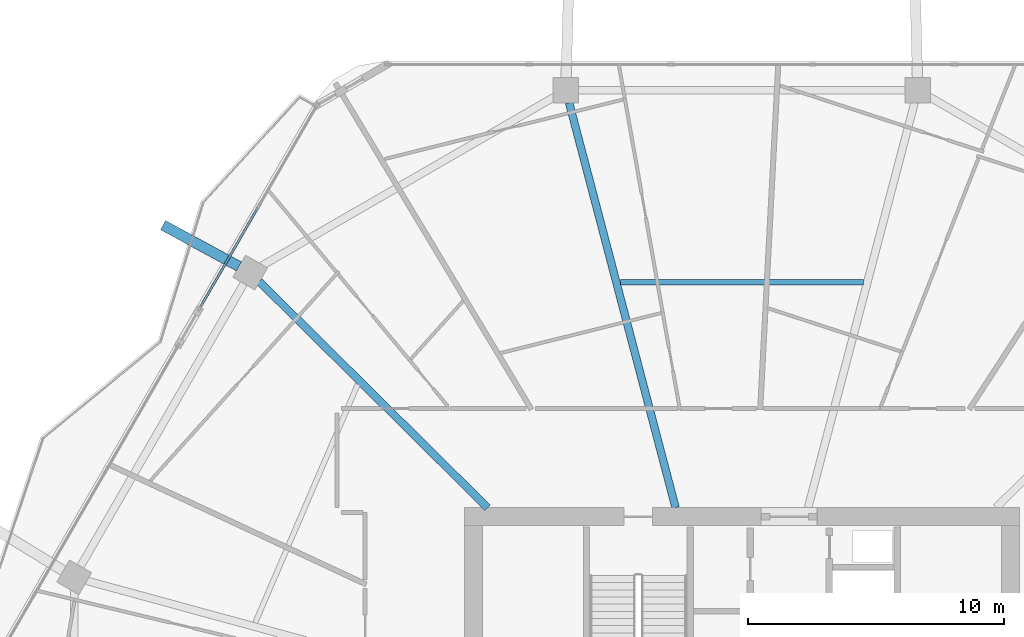
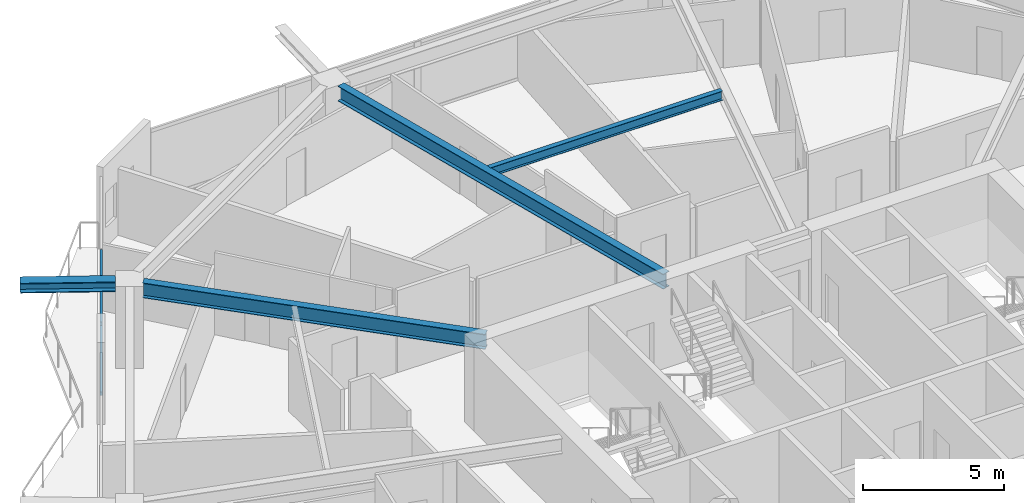
# One storey, part 11 of 26: 4 beams, 2 members, 1 element without a shape of its own.
"""IFC4 building model written with IfcOpenShell, lengths in metres."""

from ifc_helpers import new_model, si_unit, direction, frame, origin, origin_2d, place, context, subcontext, project, spatial, hollow_rectangle, i_section, extrude, material, material_profile, profile_set, type_object, element, aggregate, save


model = new_model("IFC4")

# Units and contexts
model_context = context("Model", 3, precision=1e-05, world=origin(), true_north=direction((0.0, 1.0)))
body_context = subcontext(model_context, "Body", "Model", "MODEL_VIEW")
ifc_project = project(units=[si_unit("LENGTHUNIT", "METRE"), si_unit("AREAUNIT", "SQUARE_METRE"), si_unit("VOLUMEUNIT", "CUBIC_METRE"), si_unit("PLANEANGLEUNIT", "RADIAN"), si_unit("MASSUNIT", "GRAM", prefix="KILO")], contexts=[model_context])

# Site, building, storey
site_placement = place(None, origin())
site = spatial("IfcSite", under=ifc_project, at=site_placement, CompositionType="ELEMENT")
building_placement = place(site_placement, origin())
building = spatial("IfcBuilding", under=site, at=building_placement, Name="Zuhravey Tower", CompositionType="ELEMENT")
storey_placement = place(building_placement, frame((0.0, 0.0, 165.60009765625)))
storey = spatial("IfcBuildingStorey", under=building, at=storey_placement, Name="L41", CompositionType="ELEMENT", Elevation=165.60009765625)

# Curtain wall, members
ifc_material_1 = material(Name="Thermally broken anodised aluminium", Category="aluminium")
curtain_wall_type = type_object("IfcCurtainWallType", Name="Zone 1-2 Residential Curtain Wall CW3", PredefinedType="NOTDEFINED", material=ifc_material_1)
curtain_wall_placement = place(storey_placement, origin())
curtain_wall = element("IfcCurtainWall", 1, at=curtain_wall_placement, inside=storey, type_object=curtain_wall_type, Name="L41 CW3 CW-L41-F3-2", PredefinedType="NOTDEFINED")
ifc_material_2 = material(Name="Anodised aluminium", Category="aluminium")
ifc_material_profile_1 = material_profile(ifc_material_2, hollow_rectangle(XDim=0.090087890625, YDim=0.14990234375, WallThickness=0.0048828125, at=origin_2d()), Name="ALU-RHS-90x150x5")
ifc_profile_set_1 = profile_set([ifc_material_profile_1], Name="Anodised aluminium")
member_type = type_object("IfcMemberType", Name="Curtain-Wall Transom 90x150", PredefinedType="USERDEFINED", material=ifc_profile_set_1)
member_1_placement = place(storey_placement, frame((14.84228515625, 49.7197265625, 0.044921875), z_axis=(0.499980071345, 0.866036909293, 0.0), x_axis=(-0.866036909293, 0.499980071345, 0.0)))
member_1 = element("IfcMember", 2, at=member_1_placement, type_object=member_type, Name="CW3 transom 1.1", ObjectType="TRANSOM", PredefinedType="USERDEFINED", context=body_context, shape_type="SweptSolid", body=[
    extrude(hollow_rectangle(XDim=0.090087890625, YDim=0.14990234375, WallThickness=0.0048828125, at=origin_2d()), origin(), (0.0, 0.0, 1.0), 4.457275390625),
])
member_2_placement = place(storey_placement, frame((14.84228515625, 49.7197265625, 3.076904296875), z_axis=(0.499980071345, 0.866036909293, 0.0), x_axis=(-0.866036909293, 0.499980071345, 0.0)))
member_2 = element("IfcMember", 3, at=member_2_placement, type_object=member_type, Name="CW3 transom 1.2", ObjectType="TRANSOM", PredefinedType="USERDEFINED", context=body_context, shape_type="SweptSolid", body=[
    extrude(hollow_rectangle(XDim=0.090087890625, YDim=0.14990234375, WallThickness=0.0048828125, at=origin_2d()), origin(), (0.0, 0.0, 1.0), 4.457275390625),
])
aggregate(curtain_wall, [member_1, member_2])

# Beams
ifc_material_3 = material(Name="Steel SM460", Category="steel")
ifc_material_profile_2 = material_profile(ifc_material_3, i_section(OverallWidth=0.406982421875, OverallDepth=0.427978515625, WebThickness=0.02001953125, FlangeThickness=0.034912109375, at=origin_2d()), Name="H-428x407x20x35")
ifc_profile_set_2 = profile_set([ifc_material_profile_2], Name="Steel SM460")
beam_type_1 = type_object("IfcBeamType", Name="Exoskeleton Node Tie Beam H428x407", PredefinedType="BEAM", material=ifc_profile_set_2)
beam_1_placement = place(storey_placement, frame((16.33154296875, 51.287353515625, 3.3359375), z_axis=(-0.878768420678, 0.477248428828, 0.0), x_axis=(-0.477248428828, -0.878768420678, 0.0)))
element("IfcBeam", 4, at=beam_1_placement, inside=storey, type_object=beam_type_1, Name="L41 Exoskeleton Node Tie NT1-05", PredefinedType="BEAM", context=body_context, shape_type="SweptSolid", body=[
    extrude(i_section(OverallWidth=0.406982421875, OverallDepth=0.427978515625, WebThickness=0.02001953125, FlangeThickness=0.034912109375, at=origin_2d()), origin(), (0.0, 0.0, 1.0), 3.372314453125),
])
ifc_material_4 = material(Name="Steel SM355", Category="steel")
ifc_material_profile_3 = material_profile(ifc_material_4, i_section(OverallWidth=0.300048828125, OverallDepth=0.64990234375, WebThickness=0.012939453125, FlangeThickness=0.02197265625, at=origin_2d()), Name="H-650x300x13x22")
ifc_profile_set_3 = profile_set([ifc_material_profile_3], Name="Steel SM355")
beam_type_2 = type_object("IfcBeamType", Name="Radial Primary Girder H650x300", PredefinedType="BEAM", material=ifc_profile_set_3)
beam_2_placement = place(storey_placement, frame((33.4091796875, 41.85302734375, 3.224853515625), z_axis=(-0.254300244998, 0.967125320418, 0.0), x_axis=(-0.967125320418, -0.254300244998, 0.0)))
element("IfcBeam", 5, at=beam_2_placement, inside=storey, type_object=beam_type_2, Name="L41 RG2 BM-L41-RAD-04", PredefinedType="BEAM", context=body_context, shape_type="SweptSolid", body=[
    extrude(i_section(OverallWidth=0.300048828125, OverallDepth=0.64990234375, WebThickness=0.012939453125, FlangeThickness=0.02197265625, at=origin_2d()), origin(), (0.0, 0.0, 1.0), 16.371826171875),
])
beam_3_placement = place(storey_placement, frame((26.054443359375, 41.85302734375, 3.224853515625), z_axis=(-0.71040353357, 0.703794586148, 0.0), x_axis=(-0.703794586148, -0.71040353357, 0.0)))
element("IfcBeam", 6, at=beam_3_placement, inside=storey, type_object=beam_type_2, Name="L41 RG2 BM-L41-RAD-05", PredefinedType="BEAM", context=body_context, shape_type="SweptSolid", body=[
    extrude(i_section(OverallWidth=0.300048828125, OverallDepth=0.64990234375, WebThickness=0.012939453125, FlangeThickness=0.02197265625, at=origin_2d()), origin(), (0.0, 0.0, 1.0), 12.559814453125),
])
ifc_material_profile_4 = material_profile(ifc_material_4, i_section(OverallWidth=0.199951171875, OverallDepth=0.39990234375, WebThickness=0.008056640625, FlangeThickness=0.012939453125, at=origin_2d()), Name="H-400x200x8x13")
ifc_profile_set_4 = profile_set([ifc_material_profile_4], Name="Steel SM355")
beam_type_3 = type_object("IfcBeamType", Name="Secondary Floor Joist H400x200", PredefinedType="JOIST", material=ifc_profile_set_4)
beam_4_placement = place(storey_placement, frame((40.754150390625, 50.665771484375, 3.349853515625), z_axis=(-1.0, 0.0, 0.0), x_axis=(0.0, -1.0, 0.0)))
element("IfcBeam", 7, at=beam_4_placement, inside=storey, type_object=beam_type_3, Name="L41 SJ2 BM-L41-SJ-03-1", PredefinedType="JOIST", context=body_context, shape_type="SweptSolid", body=[
    extrude(i_section(OverallWidth=0.199951171875, OverallDepth=0.39990234375, WebThickness=0.008056640625, FlangeThickness=0.012939453125, at=origin_2d()), origin(), (0.0, 0.0, 1.0), 9.50830078125),
])

save(model, "model.ifc")
